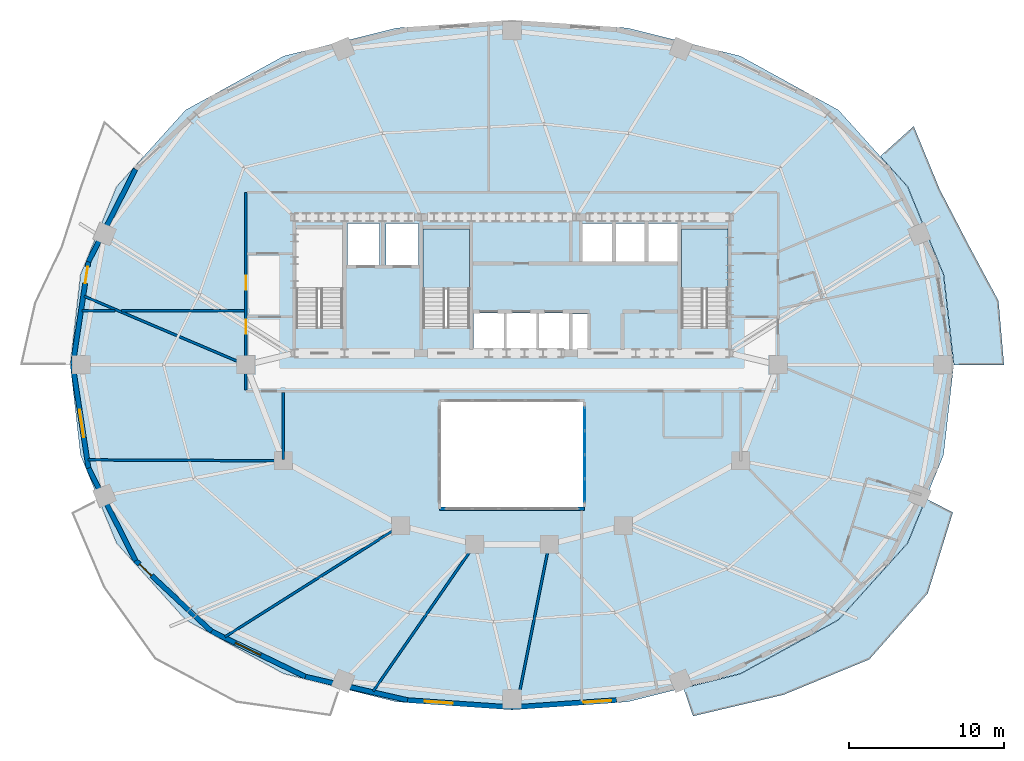
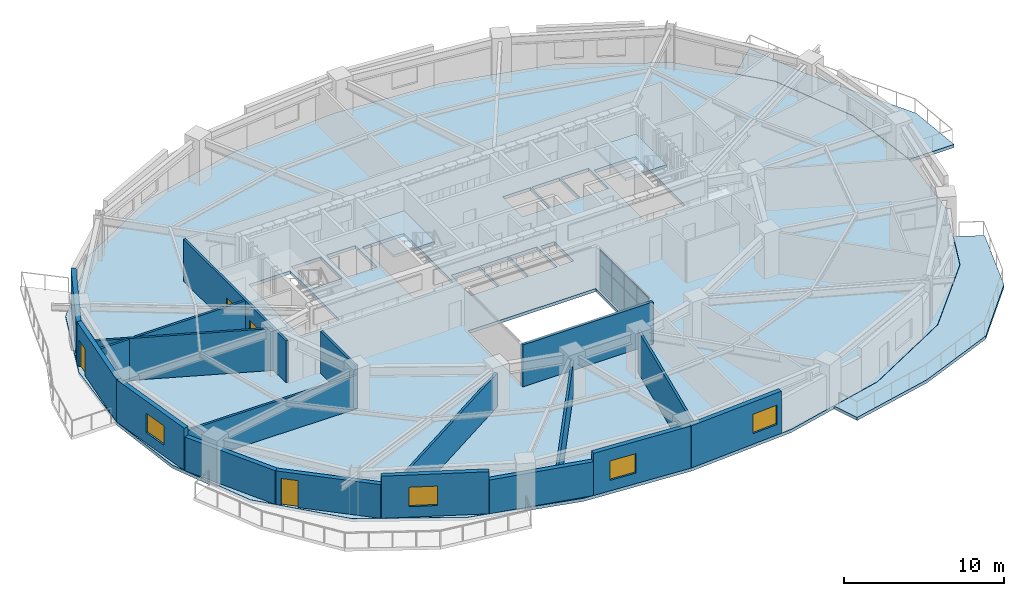
# One storey, part 6 of 12: 19 walls, 8 plates, 5 slabs, 4 doors, 4 windows, 8 openings, 3 elements without a shape of their own.
"""IFC4 building model written with IfcOpenShell, lengths in metres."""

from ifc_helpers import new_model, si_unit, direction, frame, frame_2d, origin, origin_2d, place, context, subcontext, project, spatial, polyline, rectangle, outline, extrude, material, layer, layer_set, type_object, element, fill, aggregate, save


model = new_model("IFC4")

# Units and contexts
model_context = context("Model", 3, precision=1e-05, world=origin(), true_north=direction((0.0, 1.0)))
body_context = subcontext(model_context, "Body", "Model", "MODEL_VIEW")
ifc_project = project(units=[si_unit("LENGTHUNIT", "METRE"), si_unit("AREAUNIT", "SQUARE_METRE"), si_unit("VOLUMEUNIT", "CUBIC_METRE"), si_unit("PLANEANGLEUNIT", "RADIAN"), si_unit("MASSUNIT", "GRAM", prefix="KILO")], contexts=[model_context])

# Site, building, storey
site_placement = place(None, origin())
site = spatial("IfcSite", under=ifc_project, at=site_placement, CompositionType="ELEMENT")
building_placement = place(site_placement, origin())
building = spatial("IfcBuilding", under=site, at=building_placement, Name="Haldorwick Loom Tower", CompositionType="ELEMENT")
storey_placement = place(building_placement, frame((0.0, 0.0, 117.35009765625)))
storey = spatial("IfcBuildingStorey", under=building, at=storey_placement, Name="L31", CompositionType="ELEMENT", Elevation=117.35009765625)

# Curtain wall, plates
ifc_material_1 = material(Name="Thermally Broken Anodized Aluminium Curtain Wall Framing", Category="aluminium")
curtain_wall_type = type_object("IfcCurtainWallType", Name="ARC-CW-03", PredefinedType="NOTDEFINED", material=ifc_material_1)
curtain_wall_placement = place(storey_placement, origin())
curtain_wall = element("IfcCurtainWall", 1, at=curtain_wall_placement, inside=storey, type_object=curtain_wall_type, Name="L31 Atrium Glazed Screen E", PredefinedType="NOTDEFINED")
ifc_material_2 = material(Name="Triple-Glazed Low-E Argon Insulated Glazing Unit", Category="glass")
ifc_layer_1 = layer(ifc_material_2, 0.04296875, Name="Triple-Glazed Low-E Argon Insulated Glazing Unit", Category="glass")
ifc_layer_set_1 = layer_set([ifc_layer_1], Name="Triple-Glazed Low-E Argon Insulated Glazing Unit")
plate_type = type_object("IfcPlateType", Name="ARC-CWP-03", PredefinedType="CURTAIN_PANEL", material=ifc_layer_set_1)
plate_1_placement = place(storey_placement, frame((40.699951171875, 22.508544921875, 0.06591796875), z_axis=(0.0, 0.0, 1.0), x_axis=(0.0, -1.0, 0.0)))
plate_1 = element("IfcPlate", 2, at=plate_1_placement, type_object=plate_type, Name="CW-03 panel 1.1", PredefinedType="CURTAIN_PANEL", context=body_context, shape_type="SweptSolid", body=[
    extrude(rectangle(XDim=1.450927734375, YDim=0.04296875, at=origin_2d()), origin(), (0.0, 0.0, 1.0), 1.90087890625),
])
plate_2_placement = place(storey_placement, frame((40.699951171875, 22.508544921875, 2.03271484375), z_axis=(0.0, 0.0, 1.0), x_axis=(0.0, -1.0, 0.0)))
plate_2 = element("IfcPlate", 3, at=plate_2_placement, type_object=plate_type, Name="CW-03 panel 1.2", PredefinedType="CURTAIN_PANEL", context=body_context, shape_type="SweptSolid", body=[
    extrude(rectangle(XDim=1.450927734375, YDim=0.04296875, at=origin_2d()), origin(), (0.0, 0.0, 1.0), 1.111083984375),
])
plate_3_placement = place(storey_placement, frame((40.699951171875, 20.97509765625, 0.06591796875), z_axis=(0.0, 0.0, 1.0), x_axis=(0.0, -1.0, 0.0)))
plate_3 = element("IfcPlate", 4, at=plate_3_placement, type_object=plate_type, Name="CW-03 panel 2.1", PredefinedType="CURTAIN_PANEL", context=body_context, shape_type="SweptSolid", body=[
    extrude(rectangle(XDim=1.48388671875, YDim=0.04296875, at=origin_2d()), origin(), (0.0, 0.0, 1.0), 1.90087890625),
])
plate_4_placement = place(storey_placement, frame((40.699951171875, 20.97509765625, 2.03271484375), z_axis=(0.0, 0.0, 1.0), x_axis=(0.0, -1.0, 0.0)))
plate_4 = element("IfcPlate", 5, at=plate_4_placement, type_object=plate_type, Name="CW-03 panel 2.2", PredefinedType="CURTAIN_PANEL", context=body_context, shape_type="SweptSolid", body=[
    extrude(rectangle(XDim=1.48388671875, YDim=0.04296875, at=origin_2d()), origin(), (0.0, 0.0, 1.0), 1.111083984375),
])
plate_5_placement = place(storey_placement, frame((40.699951171875, 19.425048828125, 0.06591796875), z_axis=(0.0, 0.0, 1.0), x_axis=(0.0, -1.0, 0.0)))
plate_5 = element("IfcPlate", 6, at=plate_5_placement, type_object=plate_type, Name="CW-03 panel 3.1", PredefinedType="CURTAIN_PANEL", context=body_context, shape_type="SweptSolid", body=[
    extrude(rectangle(XDim=1.48388671875, YDim=0.04296875, at=origin_2d()), origin(), (0.0, 0.0, 1.0), 1.90087890625),
])
plate_6_placement = place(storey_placement, frame((40.699951171875, 19.425048828125, 2.03271484375), z_axis=(0.0, 0.0, 1.0), x_axis=(0.0, -1.0, 0.0)))
plate_6 = element("IfcPlate", 7, at=plate_6_placement, type_object=plate_type, Name="CW-03 panel 3.2", PredefinedType="CURTAIN_PANEL", context=body_context, shape_type="SweptSolid", body=[
    extrude(rectangle(XDim=1.48388671875, YDim=0.04296875, at=origin_2d()), origin(), (0.0, 0.0, 1.0), 1.111083984375),
])
plate_7_placement = place(storey_placement, frame((40.699951171875, 17.8916015625, 0.06591796875), z_axis=(0.0, 0.0, 1.0), x_axis=(0.0, -1.0, 0.0)))
plate_7 = element("IfcPlate", 8, at=plate_7_placement, type_object=plate_type, Name="CW-03 panel 4.1", PredefinedType="CURTAIN_PANEL", context=body_context, shape_type="SweptSolid", body=[
    extrude(rectangle(XDim=1.450927734375, YDim=0.04296875, at=origin_2d()), origin(), (0.0, 0.0, 1.0), 1.90087890625),
])
plate_8_placement = place(storey_placement, frame((40.699951171875, 17.8916015625, 2.03271484375), z_axis=(0.0, 0.0, 1.0), x_axis=(0.0, -1.0, 0.0)))
plate_8 = element("IfcPlate", 9, at=plate_8_placement, type_object=plate_type, Name="CW-03 panel 4.2", PredefinedType="CURTAIN_PANEL", context=body_context, shape_type="SweptSolid", body=[
    extrude(rectangle(XDim=1.450927734375, YDim=0.04296875, at=origin_2d()), origin(), (0.0, 0.0, 1.0), 1.111083984375),
])
aggregate(curtain_wall, [plate_1, plate_2, plate_3, plate_4, plate_5, plate_6, plate_7, plate_8])

# Slabs
ifc_material_3 = material(Name="Concrete C40 (40 MPa)", Category="concrete")
ifc_layer_2 = layer(ifc_material_3, 0.239990234375, Name="Concrete C40 (40 MPa)", Category="concrete")
ifc_layer_set_2 = layer_set([ifc_layer_2], Name="Concrete C40 (40 MPa)")
slab_type_1 = type_object("IfcSlabType", Name="STR-SLB-BAL240", PredefinedType="FLOOR", material=ifc_layer_set_2)
slab_1_placement = place(storey_placement, frame((0.0, 0.0, -0.239990234375)))
element("IfcSlab", 10, at=slab_1_placement, inside=storey, type_object=slab_type_1, Name="L31 Sinusoidal Balcony Terrace BAL_SE", PredefinedType="FLOOR", context=body_context, shape_type="SweptSolid", body=[
    extrude(outline(polyline([(62.759033203125, 17.349609375), (61.580078125, 14.468994140625), (61.579345703125, 14.4677734375), (61.578857421875, 14.466552734375), (61.578125, 14.465576171875), (61.5771484375, 14.464599609375), (57.11279296875, 9.51318359375), (57.11181640625, 9.51220703125), (57.1103515625, 9.510986328125), (57.10888671875, 9.51025390625), (50.767822265625, 6.0244140625), (50.7666015625, 6.023681640625), (50.765380859375, 6.023193359375), (50.76416015625, 6.022705078125), (47.087890625, 5.10546875), (47.705810546875, 3.292724609375), (53.555908203125, 4.676025390625), (59.101806640625, 6.961669921875), (62.8779296875, 11.235107421875), (64.50244140625, 16.4658203125), (62.759033203125, 17.349609375)])), origin(), (0.0, 0.0, 1.0), 0.239990234375),
])
slab_2_placement = place(storey_placement, frame((0.0, 0.0, -0.239990234375)))
element("IfcSlab", 11, at=slab_2_placement, inside=storey, type_object=slab_type_1, Name="L31 Sinusoidal Balcony Terrace BAL_ENE", PredefinedType="FLOOR", context=body_context, shape_type="SweptSolid", body=[
    extrude(outline(polyline([(59.8134765625, 39.49169921875), (61.5771484375, 37.535400390625), (61.578125, 37.534423828125), (61.578857421875, 37.533447265625), (61.579345703125, 37.5322265625), (61.580078125, 37.531005859375), (63.90869140625, 31.841796875), (63.9091796875, 31.840576171875), (63.909423828125, 31.83935546875), (63.90966796875, 31.837890625), (64.572509765625, 26.001708984375), (64.572509765625, 26.0), (67.8076171875, 26.0), (67.451904296875, 30.13720703125), (65.49462890625, 33.793701171875), (63.64013671875, 37.364990234375), (61.96923828125, 41.431640625), (59.8134765625, 39.49169921875)])), origin(), (0.0, 0.0, 1.0), 0.239990234375),
])

# Stair, slab
stair_type = type_object("IfcStairType", Name="STR-STR-CORE", PredefinedType="HALF_TURN_STAIR", material=ifc_material_3)
stair_1_placement = place(storey_placement, origin())
stair_1 = element("IfcStair", 12, at=stair_1_placement, inside=storey, type_object=stair_type, Name="L31 Exit Stair ST-02", PredefinedType="HALF_TURN_STAIR")
ifc_layer_3 = layer(ifc_material_3, 0.199951171875, Name="Concrete C40 (40 MPa)", Category="concrete")
ifc_layer_set_3 = layer_set([ifc_layer_3], Name="Concrete C40 (40 MPa)")
slab_type_2 = type_object("IfcSlabType", Name="STR-SLB-LAND200", PredefinedType="LANDING", material=ifc_layer_set_3)
slab_3_placement = place(storey_placement, frame((0.0, 0.0, 1.52490234375)))
slab_3 = element("IfcSlab", 13, at=slab_3_placement, type_object=slab_type_2, Name="ST-02 landing 1", PredefinedType="LANDING", context=body_context, shape_type="SweptSolid", body=[
    extrude(outline(polyline([(49.949951171875, 30.919921875), (49.949951171875, 34.800048828125), (46.949951171875, 34.800048828125), (46.949951171875, 30.919921875), (49.949951171875, 30.919921875)])), origin(), (0.0, 0.0, 1.0), 0.199951171875),
])
aggregate(stair_1, [slab_3])

stair_2_placement = place(storey_placement, origin())
stair_2 = element("IfcStair", 14, at=stair_2_placement, inside=storey, type_object=stair_type, Name="L31 Exit Stair ST-03", PredefinedType="HALF_TURN_STAIR")
slab_4_placement = place(storey_placement, frame((0.0, 0.0, 1.52490234375)))
slab_4 = element("IfcSlab", 15, at=slab_4_placement, type_object=slab_type_2, Name="ST-03 landing 1", PredefinedType="LANDING", context=body_context, shape_type="SweptSolid", body=[
    extrude(outline(polyline([(33.25, 30.919921875), (33.25, 34.800048828125), (30.25, 34.800048828125), (30.25, 30.919921875), (33.25, 30.919921875)])), origin(), (0.0, 0.0, 1.0), 0.199951171875),
])
aggregate(stair_2, [slab_4])

# Slab
ifc_layer_4 = layer(ifc_material_3, 0.239990234375, Name="Concrete C40 (40 MPa)", Category="concrete")
ifc_layer_set_4 = layer_set([ifc_layer_4], Name="Concrete C40 (40 MPa)")
slab_type_3 = type_object("IfcSlabType", Name="STR-SLB-RES240", PredefinedType="FLOOR", material=ifc_layer_set_4)
slab_5_placement = place(storey_placement, frame((0.0, 0.0, -0.239990234375)))
element("IfcSlab", 16, at=slab_5_placement, inside=storey, type_object=slab_type_3, Name="L31 Residential Structural Floor Slab", PredefinedType="FLOOR", context=body_context, shape_type="SweptSolid", body=[
    extrude(outline(polyline([(57.101806640625, 9.523193359375), (61.566162109375, 14.474609375), (63.894775390625, 20.163818359375), (64.5576171875, 26.0), (63.894775390625, 31.836181640625), (61.566162109375, 37.525390625), (57.101806640625, 42.476806640625), (50.760498046875, 45.962646484375), (43.474365234375, 47.781005859375), (36.0, 48.29833984375), (28.525634765625, 47.781005859375), (21.239501953125, 45.962646484375), (14.898193359375, 42.476806640625), (10.433837890625, 37.525390625), (8.105224609375, 31.836181640625), (7.4423828125, 26.0), (8.105224609375, 20.163818359375), (10.433837890625, 14.474609375), (14.898193359375, 9.523193359375), (21.239501953125, 6.037353515625), (28.525634765625, 4.218994140625), (36.0, 3.70166015625), (43.474365234375, 4.218994140625), (50.760498046875, 6.037353515625), (57.101806640625, 9.523193359375)]), holes=[polyline([(31.39990234375, 16.800048828125), (31.39990234375, 23.60009765625), (40.60009765625, 23.60009765625), (40.60009765625, 16.800048828125), (31.39990234375, 16.800048828125)]), polyline([(33.5, 26.85009765625), (33.5, 29.35009765625), (35.5, 29.35009765625), (35.5, 26.85009765625), (33.5, 26.85009765625)]), polyline([(35.60009765625, 26.85009765625), (35.60009765625, 29.35009765625), (37.60009765625, 29.35009765625), (37.60009765625, 26.85009765625), (35.60009765625, 26.85009765625)]), polyline([(23.6201171875, 28.39990234375), (22.050048828125, 28.39990234375), (22.050048828125, 34.800048828125), (25.050048828125, 34.800048828125), (25.050048828125, 28.639892578125), (23.6201171875, 28.639892578125), (23.6201171875, 28.39990234375)]), polyline([(30.25, 28.39990234375), (30.25, 34.800048828125), (33.25, 34.800048828125), (33.25, 28.639892578125), (31.820068359375, 28.639892578125), (31.820068359375, 28.39990234375), (30.25, 28.39990234375)]), polyline([(25.35009765625, 32.449951171875), (25.35009765625, 35.14990234375), (27.449951171875, 35.14990234375), (27.449951171875, 32.449951171875), (25.35009765625, 32.449951171875)]), polyline([(29.949951171875, 32.449951171875), (27.85009765625, 32.449951171875), (27.85009765625, 35.14990234375), (29.949951171875, 35.14990234375), (29.949951171875, 32.449951171875)]), polyline([(37.699951171875, 26.85009765625), (37.699951171875, 29.35009765625), (39.699951171875, 29.35009765625), (39.699951171875, 26.85009765625), (37.699951171875, 26.85009765625)]), polyline([(39.89990234375, 26.89990234375), (39.89990234375, 29.300048828125), (40.89990234375, 29.300048828125), (40.89990234375, 26.89990234375), (39.89990234375, 26.89990234375)]), polyline([(46.949951171875, 28.39990234375), (46.949951171875, 34.800048828125), (49.949951171875, 34.800048828125), (49.949951171875, 28.639892578125), (48.52001953125, 28.639892578125), (48.52001953125, 28.39990234375), (46.949951171875, 28.39990234375)]), polyline([(40.550048828125, 32.64990234375), (40.550048828125, 35.14990234375), (42.550048828125, 35.14990234375), (42.550048828125, 32.64990234375), (40.550048828125, 32.64990234375)]), polyline([(42.64990234375, 32.64990234375), (42.64990234375, 35.14990234375), (44.64990234375, 35.14990234375), (44.64990234375, 32.64990234375), (42.64990234375, 32.64990234375)]), polyline([(44.75, 32.64990234375), (44.75, 35.14990234375), (46.75, 35.14990234375), (46.75, 32.64990234375), (44.75, 32.64990234375)])]), origin(), (0.0, 0.0, 1.0), 0.239990234375),
])

# Wall
ifc_material_4 = material(Name="Pressed Clay Face Brick and Insulated Masonry Backup Assembly", Category="masonry")
ifc_layer_5 = layer(ifc_material_4, 0.320068359375, Name="Pressed Clay Face Brick and Insulated Masonry Backup Assembly", Category="masonry")
ifc_layer_set_5 = layer_set([ifc_layer_5], Name="Pressed Clay Face Brick and Insulated Masonry Backup Assembly")
wall_type_1 = type_object("IfcWallType", Name="ARC-WL-EXT320", PredefinedType="STANDARD", material=ifc_layer_set_5)
wall_1_placement = place(storey_placement, frame((11.661376953125, 38.655517578125, 0.0), z_axis=(0.0, 0.0, 1.0), x_axis=(-0.453374078001, -0.89132033826, 0.0)))
element("IfcWall", 17, at=wall_1_placement, inside=storey, type_object=wall_type_1, Name="L31 Brick Pier and Spandrel Wall 11", PredefinedType="STANDARD", context=body_context, shape_type="SweptSolid", body=[
    extrude(rectangle(XDim=6.709716796875, YDim=0.320068359375, at=frame_2d((3.35498046875, 0.0))), origin(), (0.0, 0.0, 1.0), 2.56884765625),
])

# Wall, opening, door
wall_2_placement = place(storey_placement, frame((8.619384765625, 32.675048828125, 0.0), z_axis=(0.0, 0.0, 1.0), x_axis=(-0.150633288003, -0.988589708901, 0.0)))
wall_2 = element("IfcWall", 18, at=wall_2_placement, inside=storey, type_object=wall_type_1, Name="L31 Brick Pier and Spandrel Wall 12", PredefinedType="STANDARD", context=body_context, shape_type="SweptSolid", body=[
    extrude(rectangle(XDim=6.752197265625, YDim=0.320068359375, at=frame_2d((3.3759765625, 0.0))), origin(), (0.0, 0.0, 1.0), 3.2099609375),
])
opening_1_placement = place(wall_2_placement, frame((0.340087890625, 0.0, 0.0)))
opening_1 = element("IfcOpeningElement", 19, at=opening_1_placement, cuts=wall_2, Name="Opening D-BL11", PredefinedType="OPENING", context=body_context, shape_type="SweptSolid", body=[
    extrude(rectangle(XDim=1.080078125, YDim=2.0400390625, at=frame_2d((0.5400390625, 1.02001953125))), frame((0.0, 0.169921875, 0.0), z_axis=(0.0, -1.0, 0.0), x_axis=(1.0, 0.0, 0.0)), (0.0, 0.0, 1.0), 0.340087890625),
])
door_type_1 = type_object("IfcDoorType", Name="ARC-DR-BAL110", OperationType="NOTDEFINED", PredefinedType="DOOR", material=ifc_material_1)
door_1_placement = place(opening_1_placement, origin())
door_1 = element("IfcDoor", 20, at=door_1_placement, inside=storey, type_object=door_type_1, Name="L31 Outdoor Terrace Door SLB-L31-BAL_WNW", OperationType="SINGLE_SWING_RIGHT", OverallHeight=2.0400390625, OverallWidth=1.080078125, PredefinedType="DOOR", context=body_context, shape_type="SweptSolid", body=[
    extrude(rectangle(XDim=1.080078125, YDim=2.0400390625, at=frame_2d((0.5400390625, 1.02001953125))), frame((0.0, 0.02490234375, 0.0), z_axis=(0.0, -1.0, 0.0), x_axis=(1.0, 0.0, 0.0)), (0.0, 0.0, 1.0), 0.050048828125),
])
fill(opening_1, door_1)

# Wall, opening, window
wall_3_placement = place(storey_placement, frame((7.602294921875, 26.0, 0.0), z_axis=(0.0, 0.0, 1.0), x_axis=(0.150633288003, -0.988589708901, 0.0)))
wall_3 = element("IfcWall", 21, at=wall_3_placement, inside=storey, type_object=wall_type_1, Name="L31 Brick Pier and Spandrel Wall 13", PredefinedType="STANDARD", context=body_context, shape_type="SweptSolid", body=[
    extrude(rectangle(XDim=6.752197265625, YDim=0.320068359375, at=frame_2d((3.3759765625, 0.0))), origin(), (0.0, 0.0, 1.0), 3.2099609375),
])
opening_2_placement = place(wall_3_placement, frame((2.92724609375, 0.0, 0.800048828125)))
opening_2 = element("IfcOpeningElement", 22, at=opening_2_placement, cuts=wall_3, Name="Opening W-01", PredefinedType="OPENING", context=body_context, shape_type="SweptSolid", body=[
    extrude(rectangle(XDim=1.800048828125, YDim=1.47998046875, at=frame_2d((0.89990234375, 0.739990234375))), frame((0.0, 0.169921875, 0.0), z_axis=(0.0, -1.0, 0.0), x_axis=(1.0, 0.0, 0.0)), (0.0, 0.0, 1.0), 0.340087890625),
])
window_type = type_object("IfcWindowType", Name="ARC-WIN-W180", PartitioningType="SINGLE_PANEL", PredefinedType="WINDOW", material=ifc_material_2)
window_1_placement = place(opening_2_placement, origin())
window_1 = element("IfcWindow", 23, at=window_1_placement, inside=storey, type_object=window_type, Name="L31 Deep-Set Zone 7A Window 13", OverallHeight=1.47998046875, OverallWidth=1.800048828125, PartitioningType="SINGLE_PANEL", PredefinedType="WINDOW", context=body_context, shape_type="SweptSolid", body=[
    extrude(rectangle(XDim=1.800048828125, YDim=1.47998046875, at=frame_2d((0.89990234375, 0.739990234375))), frame((0.0, 0.030029296875, 0.0), z_axis=(0.0, -1.0, 0.0), x_axis=(1.0, 0.0, 0.0)), (0.0, 0.0, 1.0), 0.06005859375),
])
fill(opening_2, window_1)

# Wall
wall_4_placement = place(storey_placement, frame((8.619384765625, 19.324951171875, 0.0), z_axis=(0.0, 0.0, 1.0), x_axis=(0.453374078001, -0.89132033826, 0.0)))
element("IfcWall", 24, at=wall_4_placement, inside=storey, type_object=wall_type_1, Name="L31 Brick Pier and Spandrel Wall 14", PredefinedType="STANDARD", context=body_context, shape_type="SweptSolid", body=[
    extrude(rectangle(XDim=6.709716796875, YDim=0.320068359375, at=frame_2d((3.35498046875, 0.0))), origin(), (0.0, 0.0, 1.0), 2.56884765625),
])

# Wall, opening, door
wall_5_placement = place(storey_placement, frame((11.661376953125, 13.344482421875, 0.0), z_axis=(0.0, 0.0, 1.0), x_axis=(0.732137360086, -0.681157020052, 0.0)))
wall_5 = element("IfcWall", 25, at=wall_5_placement, inside=storey, type_object=wall_type_1, Name="L31 Brick Pier and Spandrel Wall 15", PredefinedType="STANDARD", context=body_context, shape_type="SweptSolid", body=[
    extrude(rectangle(XDim=6.709228515625, YDim=0.320068359375, at=frame_2d((3.3544921875, 0.0))), origin(), (0.0, 0.0, 1.0), 2.56884765625),
])
opening_3_placement = place(wall_5_placement, frame((0.340087890625, 0.0, 0.0)))
opening_3 = element("IfcOpeningElement", 26, at=opening_3_placement, cuts=wall_5, Name="Opening D-BL11", PredefinedType="OPENING", context=body_context, shape_type="SweptSolid", body=[
    extrude(rectangle(XDim=1.080078125, YDim=2.0400390625, at=frame_2d((0.5400390625, 1.02001953125))), frame((0.0, 0.169921875, 0.0), z_axis=(0.0, -1.0, 0.0), x_axis=(1.0, 0.0, 0.0)), (0.0, 0.0, 1.0), 0.340087890625),
])
door_2_placement = place(opening_3_placement, origin())
door_2 = element("IfcDoor", 27, at=door_2_placement, inside=storey, type_object=door_type_1, Name="L31 Outdoor Terrace Door SLB-L31-BAL_SW", OperationType="SINGLE_SWING_LEFT", OverallHeight=2.0400390625, OverallWidth=1.080078125, PredefinedType="DOOR", context=body_context, shape_type="SweptSolid", body=[
    extrude(rectangle(XDim=1.080078125, YDim=2.0400390625, at=frame_2d((0.5400390625, 1.02001953125))), frame((0.0, 0.02490234375, 0.0), z_axis=(0.0, -1.0, 0.0), x_axis=(1.0, 0.0, 0.0)), (0.0, 0.0, 1.0), 0.050048828125),
])
fill(opening_3, door_2)

# Wall, opening, window
wall_6_placement = place(storey_placement, frame((16.573486328125, 8.7744140625, 0.0), z_axis=(0.0, 0.0, 1.0), x_axis=(0.900510094661, -0.434835106004, 0.0)))
wall_6 = element("IfcWall", 28, at=wall_6_placement, inside=storey, type_object=wall_type_1, Name="L31 Brick Pier and Spandrel Wall 16", PredefinedType="STANDARD", context=body_context, shape_type="SweptSolid", body=[
    extrude(rectangle(XDim=6.744873046875, YDim=0.320068359375, at=frame_2d((3.37255859375, 0.0))), origin(), (0.0, 0.0, 1.0), 3.2099609375),
])
opening_4_placement = place(wall_6_placement, frame((1.7216796875, 0.0, 0.800048828125)))
opening_4 = element("IfcOpeningElement", 29, at=opening_4_placement, cuts=wall_6, Name="Opening W-01", PredefinedType="OPENING", context=body_context, shape_type="SweptSolid", body=[
    extrude(rectangle(XDim=1.800048828125, YDim=1.47998046875, at=frame_2d((0.89990234375, 0.739990234375))), frame((0.0, 0.169921875, 0.0), z_axis=(0.0, -1.0, 0.0), x_axis=(1.0, 0.0, 0.0)), (0.0, 0.0, 1.0), 0.340087890625),
])
window_2_placement = place(opening_4_placement, origin())
window_2 = element("IfcWindow", 30, at=window_2_placement, inside=storey, type_object=window_type, Name="L31 Deep-Set Zone 7A Window 16", OverallHeight=1.47998046875, OverallWidth=1.800048828125, PartitioningType="SINGLE_PANEL", PredefinedType="WINDOW", context=body_context, shape_type="SweptSolid", body=[
    extrude(rectangle(XDim=1.800048828125, YDim=1.47998046875, at=frame_2d((0.89990234375, 0.739990234375))), frame((0.0, 0.030029296875, 0.0), z_axis=(0.0, -1.0, 0.0), x_axis=(1.0, 0.0, 0.0)), (0.0, 0.0, 1.0), 0.06005859375),
])
fill(opening_4, window_2)

# Wall
wall_7_placement = place(storey_placement, frame((22.647216796875, 5.841552734375, 0.0), z_axis=(0.0, 0.0, 1.0), x_axis=(0.974584177714, -0.224021607329, 0.0)))
element("IfcWall", 31, at=wall_7_placement, inside=storey, type_object=wall_type_1, Name="L31 Brick Pier and Spandrel Wall 17", PredefinedType="STANDARD", context=body_context, shape_type="SweptSolid", body=[
    extrude(rectangle(XDim=6.767822265625, YDim=0.320068359375, at=frame_2d((3.3837890625, 0.0))), origin(), (0.0, 0.0, 1.0), 2.56884765625),
])

# Wall, opening, window
wall_8_placement = place(storey_placement, frame((29.242919921875, 4.325439453125, 0.0), z_axis=(0.0, 0.0, 1.0), x_axis=(0.997651949344, -0.068487867318, 0.0)))
wall_8 = element("IfcWall", 32, at=wall_8_placement, inside=storey, type_object=wall_type_1, Name="L31 Brick Pier and Spandrel Wall 18", PredefinedType="STANDARD", context=body_context, shape_type="SweptSolid", body=[
    extrude(rectangle(XDim=6.77294921875, YDim=0.320068359375, at=frame_2d((3.386474609375, 0.0))), origin(), (0.0, 0.0, 1.0), 3.2099609375),
])
opening_5_placement = place(wall_8_placement, frame((1.1318359375, 0.0, 0.800048828125)))
opening_5 = element("IfcOpeningElement", 33, at=opening_5_placement, cuts=wall_8, Name="Opening W-01", PredefinedType="OPENING", context=body_context, shape_type="SweptSolid", body=[
    extrude(rectangle(XDim=1.800048828125, YDim=1.47998046875, at=frame_2d((0.89990234375, 0.739990234375))), frame((0.0, 0.169921875, 0.0), z_axis=(0.0, -1.0, 0.0), x_axis=(1.0, 0.0, 0.0)), (0.0, 0.0, 1.0), 0.340087890625),
])
window_3_placement = place(opening_5_placement, origin())
window_3 = element("IfcWindow", 34, at=window_3_placement, inside=storey, type_object=window_type, Name="L31 Deep-Set Zone 7A Window 18", OverallHeight=1.47998046875, OverallWidth=1.800048828125, PartitioningType="SINGLE_PANEL", PredefinedType="WINDOW", context=body_context, shape_type="SweptSolid", body=[
    extrude(rectangle(XDim=1.800048828125, YDim=1.47998046875, at=frame_2d((0.89990234375, 0.739990234375))), frame((0.0, 0.030029296875, 0.0), z_axis=(0.0, -1.0, 0.0), x_axis=(1.0, 0.0, 0.0)), (0.0, 0.0, 1.0), 0.06005859375),
])
fill(opening_5, window_3)

wall_9_placement = place(storey_placement, frame((36.0, 3.861572265625, 0.0), z_axis=(0.0, 0.0, 1.0), x_axis=(0.997651949344, 0.068487867318, 0.0)))
wall_9 = element("IfcWall", 35, at=wall_9_placement, inside=storey, type_object=wall_type_1, Name="L31 Brick Pier and Spandrel Wall 19", PredefinedType="STANDARD", context=body_context, shape_type="SweptSolid", body=[
    extrude(rectangle(XDim=6.77294921875, YDim=0.320068359375, at=frame_2d((3.386474609375, 0.0))), origin(), (0.0, 0.0, 1.0), 3.2099609375),
])
opening_6_placement = place(wall_9_placement, frame((4.633056640625, 0.0, 0.800048828125)))
opening_6 = element("IfcOpeningElement", 36, at=opening_6_placement, cuts=wall_9, Name="Opening W-01", PredefinedType="OPENING", context=body_context, shape_type="SweptSolid", body=[
    extrude(rectangle(XDim=1.800048828125, YDim=1.47998046875, at=frame_2d((0.89990234375, 0.739990234375))), frame((0.0, 0.169921875, 0.0), z_axis=(0.0, -1.0, 0.0), x_axis=(1.0, 0.0, 0.0)), (0.0, 0.0, 1.0), 0.340087890625),
])
window_4_placement = place(opening_6_placement, origin())
window_4 = element("IfcWindow", 37, at=window_4_placement, inside=storey, type_object=window_type, Name="L31 Deep-Set Zone 7A Window 19", OverallHeight=1.47998046875, OverallWidth=1.800048828125, PartitioningType="SINGLE_PANEL", PredefinedType="WINDOW", context=body_context, shape_type="SweptSolid", body=[
    extrude(rectangle(XDim=1.800048828125, YDim=1.47998046875, at=frame_2d((0.89990234375, 0.739990234375))), frame((0.0, 0.030029296875, 0.0), z_axis=(0.0, -1.0, 0.0), x_axis=(1.0, 0.0, 0.0)), (0.0, 0.0, 1.0), 0.06005859375),
])
fill(opening_6, window_4)

# Wall, openings, doors
ifc_material_5 = material(Name="Fire-Rated Type X Gypsum Stud Assembly EI 60")
ifc_layer_6 = layer(ifc_material_5, 0.159912109375, Name="Fire-Rated Type X Gypsum Stud Assembly EI 60")
ifc_layer_set_6 = layer_set([ifc_layer_6], Name="Fire-Rated Type X Gypsum Stud Assembly EI 60")
wall_type_2 = type_object("IfcWallType", Name="ARC-WL-FIRE160", PredefinedType="PARTITIONING", material=ifc_layer_set_6)
wall_10_placement = place(storey_placement, frame((18.800048828125, 24.383056640625, 0.0), z_axis=(0.0, 0.0, 1.0), x_axis=(0.0, 1.0, 0.0)))
wall_10 = element("IfcWall", 38, at=wall_10_placement, inside=storey, type_object=wall_type_2, Name="L31 Residential Fire Partition L31-CR-W0", PredefinedType="PARTITIONING", context=body_context, shape_type="SweptSolid", body=[
    extrude(rectangle(XDim=12.766845703125, YDim=0.159912109375, at=frame_2d((6.38330078125, 0.0))), origin(), (0.0, 0.0, 1.0), 3.19482421875),
])
opening_7_placement = place(wall_10_placement, frame((6.48388671875, 0.0, 0.0)))
opening_7 = element("IfcOpeningElement", 39, at=opening_7_placement, cuts=wall_10, Name="Opening D-FD60A", PredefinedType="OPENING", context=body_context, shape_type="SweptSolid", body=[
    extrude(rectangle(XDim=0.89990234375, YDim=2.0, at=frame_2d((0.449951171875, 1.0))), frame((0.0, 0.08984375, 0.0), z_axis=(0.0, -1.0, 0.0), x_axis=(1.0, 0.0, 0.0)), (0.0, 0.0, 1.0), 0.179931640625),
])
opening_8_placement = place(wall_10_placement, frame((3.62158203125, 0.0, 0.0)))
opening_8 = element("IfcOpeningElement", 40, at=opening_8_placement, cuts=wall_10, Name="Opening D-FD60A", PredefinedType="OPENING", context=body_context, shape_type="SweptSolid", body=[
    extrude(rectangle(XDim=0.89990234375, YDim=2.0, at=frame_2d((0.449951171875, 1.0))), frame((0.0, 0.08984375, 0.0), z_axis=(0.0, -1.0, 0.0), x_axis=(1.0, 0.0, 0.0)), (0.0, 0.0, 1.0), 0.179931640625),
])
ifc_material_6 = material(Name="Hollow Steel Fire Door Assembly", Category="steel")
door_type_2 = type_object("IfcDoorType", Name="ARC-DR-FD60-90", OperationType="NOTDEFINED", PredefinedType="DOOR", material=ifc_material_6)
door_3_placement = place(opening_7_placement, origin())
door_3 = element("IfcDoor", 41, at=door_3_placement, inside=storey, type_object=door_type_2, Name="L31 Tenant Seminar Meeting Room 6 to L31 West Residential Corridor Door", OperationType="SINGLE_SWING_RIGHT", OverallHeight=2.0, OverallWidth=0.89990234375, PredefinedType="DOOR", context=body_context, shape_type="SweptSolid", body=[
    extrude(rectangle(XDim=0.89990234375, YDim=2.0, at=frame_2d((0.449951171875, 1.0))), frame((0.0, 0.02490234375, 0.0), z_axis=(0.0, -1.0, 0.0), x_axis=(1.0, 0.0, 0.0)), (0.0, 0.0, 1.0), 0.050048828125),
])
fill(opening_7, door_3)
door_4_placement = place(opening_8_placement, frame((0.89990234375, 0.0, 0.0), z_axis=(0.0, 0.0, 1.0), x_axis=(-1.0, 0.0, 0.0)))
door_4 = element("IfcDoor", 42, at=door_4_placement, inside=storey, type_object=door_type_2, Name="L31 Community Library Room 1 to L31 Central Residential Corridor Door", OperationType="SINGLE_SWING_LEFT", OverallHeight=2.0, OverallWidth=0.89990234375, PredefinedType="DOOR", context=body_context, shape_type="SweptSolid", body=[
    extrude(rectangle(XDim=0.89990234375, YDim=2.0, at=frame_2d((0.449951171875, 1.0))), frame((0.0, 0.02490234375, 0.0), z_axis=(0.0, -1.0, 0.0), x_axis=(1.0, 0.0, 0.0)), (0.0, 0.0, 1.0), 0.050048828125),
])
fill(opening_8, door_4)

# Walls
wall_11_placement = place(storey_placement, frame((38.39990234375, 14.39990234375, 0.0), z_axis=(0.0, 0.0, 1.0), x_axis=(-0.196111730348, -0.980581556639, 0.0)))
element("IfcWall", 43, at=wall_11_placement, inside=storey, type_object=wall_type_2, Name="L31 Residential Fire Partition L31-ICR-07", PredefinedType="PARTITIONING", context=body_context, shape_type="SweptSolid", body=[
    extrude(rectangle(XDim=10.658935546875, YDim=0.159912109375, at=frame_2d((5.32958984375, 0.0))), origin(), (0.0, 0.0, 1.0), 3.19482421875),
])
wall_12_placement = place(storey_placement, frame((33.60009765625, 14.39990234375, 0.0), z_axis=(0.0, 0.0, 1.0), x_axis=(-0.569145134798, -0.822237079884, 0.0)))
element("IfcWall", 44, at=wall_12_placement, inside=storey, type_object=wall_type_2, Name="L31 Residential Fire Partition L31-ICR-09", PredefinedType="PARTITIONING", context=body_context, shape_type="SweptSolid", body=[
    extrude(rectangle(XDim=11.551513671875, YDim=0.159912109375, at=frame_2d((5.77587890625, 0.0))), origin(), (0.0, 0.0, 1.0), 2.56787109375),
])
wall_13_placement = place(storey_placement, frame((28.800048828125, 15.60009765625, 0.0), z_axis=(0.0, 0.0, 1.0), x_axis=(-0.845215765485, -0.53442521439, 0.0)))
element("IfcWall", 45, at=wall_13_placement, inside=storey, type_object=wall_type_2, Name="L31 Residential Fire Partition L31-ICR-11", PredefinedType="PARTITIONING", context=body_context, shape_type="SweptSolid", body=[
    extrude(rectangle(XDim=13.428955078125, YDim=0.159912109375, at=frame_2d((6.71435546875, 0.0))), origin(), (0.0, 0.0, 1.0), 2.56787109375),
])
wall_14_placement = place(storey_placement, frame((21.199951171875, 19.800048828125, 0.0), z_axis=(0.0, 0.0, 1.0), x_axis=(-0.999988908841, 0.004709797745, 0.0)))
element("IfcWall", 46, at=wall_14_placement, inside=storey, type_object=wall_type_2, Name="L31 Residential Fire Partition L31-ICR-13", PredefinedType="PARTITIONING", context=body_context, shape_type="SweptSolid", body=[
    extrude(rectangle(XDim=12.596435546875, YDim=0.159912109375, at=frame_2d((6.29833984375, 0.0))), origin(), (0.0, 0.0, 1.0), 2.56787109375),
])
wall_15_placement = place(storey_placement, frame((18.717041015625, 26.03515625, 0.0), z_axis=(0.0, 0.0, 1.0), x_axis=(-0.920498907927, 0.390745134973, 0.0)))
element("IfcWall", 47, at=wall_15_placement, inside=storey, type_object=wall_type_2, Name="L31 Residential Fire Partition L31-ICR-14", PredefinedType="PARTITIONING", context=body_context, shape_type="SweptSolid", body=[
    extrude(rectangle(XDim=11.268310546875, YDim=0.159912109375, at=frame_2d((5.63427734375, 0.0))), origin(), (0.0, 0.0, 1.0), 3.19482421875),
])
wall_16_placement = place(storey_placement, frame((21.199951171875, 24.217041015625, 0.0), z_axis=(0.0, 0.0, 1.0), x_axis=(0.0, -1.0, 0.0)))
element("IfcWall", 48, at=wall_16_placement, inside=storey, type_object=wall_type_2, Name="L31 Residential Fire Partition L31-ICA-12", PredefinedType="PARTITIONING", context=body_context, shape_type="SweptSolid", body=[
    extrude(rectangle(XDim=4.333984375, YDim=0.159912109375, at=frame_2d((2.1669921875, 0.0))), origin(), (0.0, 0.0, 1.0), 3.19482421875),
])
wall_17_placement = place(storey_placement, frame((8.201416015625, 29.5, 0.0), z_axis=(0.0, 0.0, 1.0), x_axis=(1.0, 0.0, 0.0)))
element("IfcWall", 49, at=wall_17_placement, inside=storey, type_object=wall_type_2, Name="L31 Residential Fire Partition L31-FLW-19", PredefinedType="PARTITIONING", context=body_context, shape_type="SweptSolid", body=[
    extrude(rectangle(XDim=2.140869140625, YDim=0.159912109375, at=frame_2d((1.0703125, 0.0))), origin(), (0.0, 0.0, 1.0), 3.19482421875),
])
wall_18_placement = place(storey_placement, frame((10.76708984375, 29.5, 0.0), z_axis=(0.0, 0.0, 1.0), x_axis=(1.0, 0.0, 0.0)))
element("IfcWall", 50, at=wall_18_placement, inside=storey, type_object=wall_type_2, Name="L31 Residential Fire Partition L31-FLW-19", PredefinedType="PARTITIONING", context=body_context, shape_type="SweptSolid", body=[
    extrude(rectangle(XDim=7.949951171875, YDim=0.159912109375, at=frame_2d((3.97509765625, 0.0))), origin(), (0.0, 0.0, 1.0), 3.19482421875),
])
ifc_material_7 = material(Name="Fire-Rated Type X Gypsum Stud Assembly EI 120")
ifc_layer_7 = layer(ifc_material_7, 0.199951171875, Name="Fire-Rated Type X Gypsum Stud Assembly EI 120")
ifc_layer_set_7 = layer_set([ifc_layer_7], Name="Fire-Rated Type X Gypsum Stud Assembly EI 120")
wall_type_3 = type_object("IfcWallType", Name="ARC-WL-FIRE200", PredefinedType="PARTITIONING", material=ifc_layer_set_7)
wall_19_placement = place(storey_placement, frame((40.699951171875, 16.699951171875, 0.0), z_axis=(0.0, 0.0, 1.0), x_axis=(-1.0, 0.0, 0.0)))
element("IfcWall", 51, at=wall_19_placement, inside=storey, type_object=wall_type_3, Name="L31 Atrium Fire Enclosure Wall S", PredefinedType="PARTITIONING", context=body_context, shape_type="SweptSolid", body=[
    extrude(rectangle(XDim=9.39990234375, YDim=0.199951171875, at=frame_2d((4.699951171875, 0.0))), origin(), (0.0, 0.0, 1.0), 3.19482421875),
])

save(model, "model.ifc")
